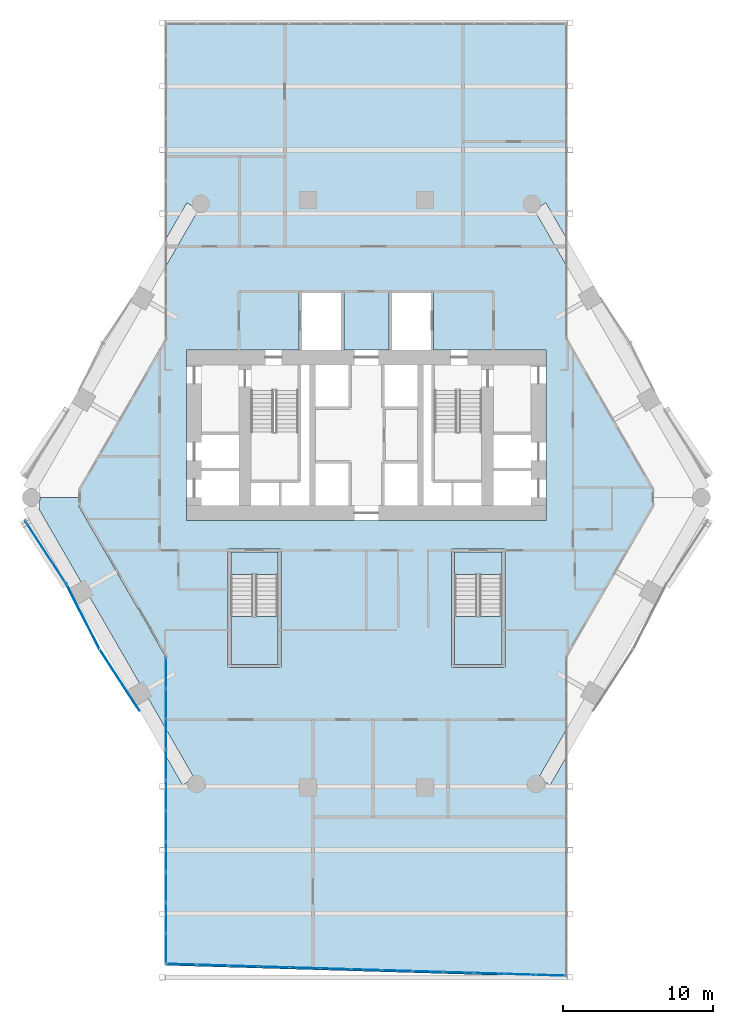
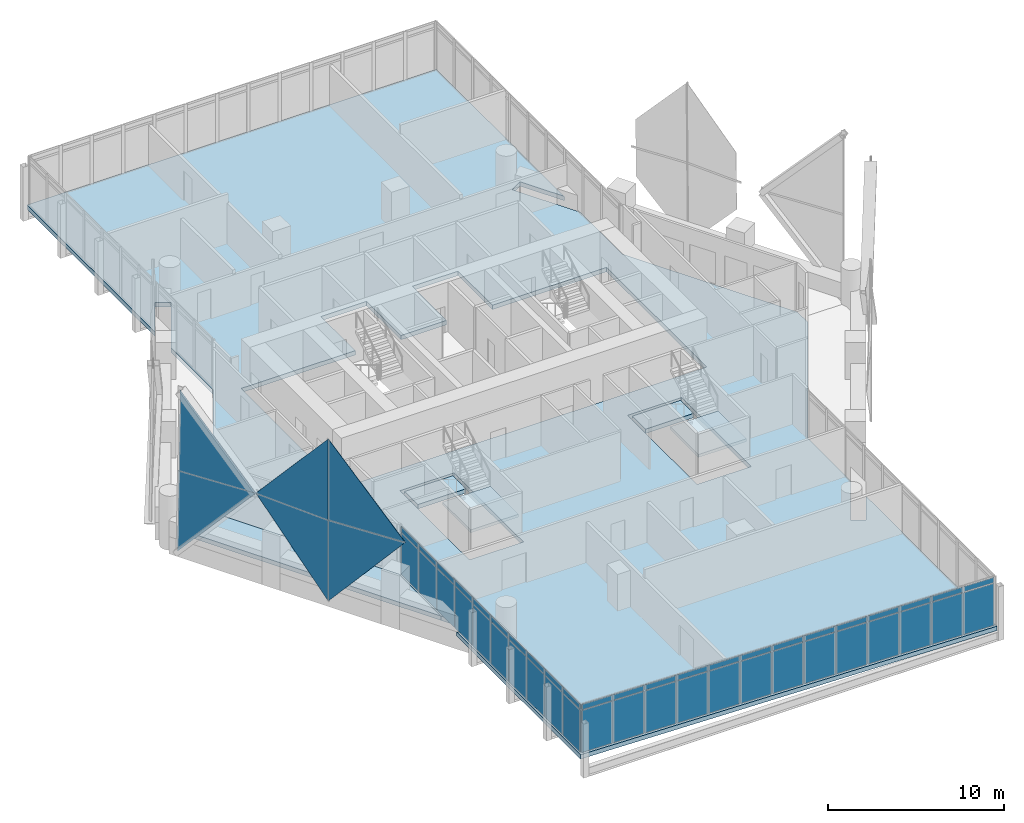
# One storey, part 26 of 38: 52 plates, 6 slabs, 8 elements without a shape of their own.
"""IFC4 building model written with IfcOpenShell, lengths in metres."""

from ifc_helpers import new_model, si_unit, direction, frame, origin, origin_2d, place, context, subcontext, project, spatial, polyline, rectangle, outline, extrude, material, layer, layer_set, type_object, element, aggregate, save


model = new_model("IFC4")

# Units and contexts
model_context = context("Model", 3, precision=1e-05, world=origin(), true_north=direction((0.0, 1.0)))
body_context = subcontext(model_context, "Body", "Model", "MODEL_VIEW")
ifc_project = project(units=[si_unit("LENGTHUNIT", "METRE"), si_unit("AREAUNIT", "SQUARE_METRE"), si_unit("VOLUMEUNIT", "CUBIC_METRE"), si_unit("PLANEANGLEUNIT", "RADIAN"), si_unit("MASSUNIT", "GRAM", prefix="KILO")], contexts=[model_context])

# Site, building, storey
site_placement = place(None, origin())
site = spatial("IfcSite", under=ifc_project, at=site_placement, CompositionType="ELEMENT")
building_placement = place(site_placement, origin())
building = spatial("IfcBuilding", under=site, at=building_placement, Name="Ostrander Bayou Hotel Tower", CompositionType="ELEMENT")
storey_placement = place(building_placement, frame((0.0, 0.0, 96.75)))
storey = spatial("IfcBuildingStorey", under=building, at=storey_placement, Name="L24", CompositionType="ELEMENT", Elevation=96.75)

# Curtain wall, plates
ifc_material_1 = material(Name="Aluminium and clear glass", Category="aluminium")
curtain_wall_type_1 = type_object("IfcCurtainWallType", Name="CW-BAR glazed wall", PredefinedType="NOTDEFINED", material=ifc_material_1)
curtain_wall_1_placement = place(storey_placement, origin())
curtain_wall_1 = element("IfcCurtainWall", 1, at=curtain_wall_1_placement, inside=storey, type_object=curtain_wall_type_1, Name="CW-BAR L24:SB2S:E", PredefinedType="NOTDEFINED")
ifc_material_2 = material(Name="Clear laminated glass", Category="glass")
ifc_layer_1 = layer(ifc_material_2, 0.028076171875)
ifc_layer_set_1 = layer_set([ifc_layer_1], Name="CW-BR glazing panel 28 mm")
plate_type_1 = type_object("IfcPlateType", Name="CW-BR glazing panel 28 mm", PredefinedType="CURTAIN_PANEL", material=ifc_layer_set_1)
plate_1_placement = place(storey_placement, frame((-13.3671875, -11.885009765625, 0.06005859375), z_axis=(0.0, 0.0, 1.0), x_axis=(0.0, -1.0, 0.0)))
plate_1 = element("IfcPlate", 2, at=plate_1_placement, type_object=plate_type_1, Name="CW-BAR panel 1.1", PredefinedType="CURTAIN_PANEL", context=body_context, shape_type="SweptSolid", body=[
    extrude(rectangle(XDim=1.95556640625, YDim=0.028076171875, at=origin_2d()), origin(), (0.0, 0.0, 1.0), 2.909912109375),
])
plate_2_placement = place(storey_placement, frame((-13.3671875, -11.885009765625, 3.02978515625), z_axis=(0.0, 0.0, 1.0), x_axis=(0.0, -1.0, 0.0)))
plate_2 = element("IfcPlate", 3, at=plate_2_placement, type_object=plate_type_1, Name="CW-BAR panel 1.2", PredefinedType="CURTAIN_PANEL", context=body_context, shape_type="SweptSolid", body=[
    extrude(rectangle(XDim=1.95556640625, YDim=0.028076171875, at=origin_2d()), origin(), (0.0, 0.0, 1.0), 0.360107421875),
])
plate_3_placement = place(storey_placement, frame((-13.3671875, -13.91552734375, 0.06005859375), z_axis=(0.0, 0.0, 1.0), x_axis=(0.0, -1.0, 0.0)))
plate_3 = element("IfcPlate", 4, at=plate_3_placement, type_object=plate_type_1, Name="CW-BAR panel 2.1", PredefinedType="CURTAIN_PANEL", context=body_context, shape_type="SweptSolid", body=[
    extrude(rectangle(XDim=1.985595703125, YDim=0.028076171875, at=origin_2d()), origin(), (0.0, 0.0, 1.0), 2.909912109375),
])
plate_4_placement = place(storey_placement, frame((-13.3671875, -13.91552734375, 3.02978515625), z_axis=(0.0, 0.0, 1.0), x_axis=(0.0, -1.0, 0.0)))
plate_4 = element("IfcPlate", 5, at=plate_4_placement, type_object=plate_type_1, Name="CW-BAR panel 2.2", PredefinedType="CURTAIN_PANEL", context=body_context, shape_type="SweptSolid", body=[
    extrude(rectangle(XDim=1.985595703125, YDim=0.028076171875, at=origin_2d()), origin(), (0.0, 0.0, 1.0), 0.360107421875),
])
plate_5_placement = place(storey_placement, frame((-13.3671875, -15.9609375, 0.06005859375), z_axis=(0.0, 0.0, 1.0), x_axis=(0.0, -1.0, 0.0)))
plate_5 = element("IfcPlate", 6, at=plate_5_placement, type_object=plate_type_1, Name="CW-BAR panel 3.1", PredefinedType="CURTAIN_PANEL", context=body_context, shape_type="SweptSolid", body=[
    extrude(rectangle(XDim=1.985595703125, YDim=0.028076171875, at=origin_2d()), origin(), (0.0, 0.0, 1.0), 2.909912109375),
])
plate_6_placement = place(storey_placement, frame((-13.3671875, -15.9609375, 3.02978515625), z_axis=(0.0, 0.0, 1.0), x_axis=(0.0, -1.0, 0.0)))
plate_6 = element("IfcPlate", 7, at=plate_6_placement, type_object=plate_type_1, Name="CW-BAR panel 3.2", PredefinedType="CURTAIN_PANEL", context=body_context, shape_type="SweptSolid", body=[
    extrude(rectangle(XDim=1.985595703125, YDim=0.028076171875, at=origin_2d()), origin(), (0.0, 0.0, 1.0), 0.360107421875),
])
plate_7_placement = place(storey_placement, frame((-13.3671875, -18.006591796875, 0.06005859375), z_axis=(0.0, 0.0, 1.0), x_axis=(0.0, -1.0, 0.0)))
plate_7 = element("IfcPlate", 8, at=plate_7_placement, type_object=plate_type_1, Name="CW-BAR panel 4.1", PredefinedType="CURTAIN_PANEL", context=body_context, shape_type="SweptSolid", body=[
    extrude(rectangle(XDim=1.985595703125, YDim=0.028076171875, at=origin_2d()), origin(), (0.0, 0.0, 1.0), 2.909912109375),
])
plate_8_placement = place(storey_placement, frame((-13.3671875, -18.006591796875, 3.02978515625), z_axis=(0.0, 0.0, 1.0), x_axis=(0.0, -1.0, 0.0)))
plate_8 = element("IfcPlate", 9, at=plate_8_placement, type_object=plate_type_1, Name="CW-BAR panel 4.2", PredefinedType="CURTAIN_PANEL", context=body_context, shape_type="SweptSolid", body=[
    extrude(rectangle(XDim=1.985595703125, YDim=0.028076171875, at=origin_2d()), origin(), (0.0, 0.0, 1.0), 0.360107421875),
])
plate_9_placement = place(storey_placement, frame((-13.3671875, -20.052001953125, 0.06005859375), z_axis=(0.0, 0.0, 1.0), x_axis=(0.0, -1.0, 0.0)))
plate_9 = element("IfcPlate", 10, at=plate_9_placement, type_object=plate_type_1, Name="CW-BAR panel 5.1", PredefinedType="CURTAIN_PANEL", context=body_context, shape_type="SweptSolid", body=[
    extrude(rectangle(XDim=1.985595703125, YDim=0.028076171875, at=origin_2d()), origin(), (0.0, 0.0, 1.0), 2.909912109375),
])
plate_10_placement = place(storey_placement, frame((-13.3671875, -20.052001953125, 3.02978515625), z_axis=(0.0, 0.0, 1.0), x_axis=(0.0, -1.0, 0.0)))
plate_10 = element("IfcPlate", 11, at=plate_10_placement, type_object=plate_type_1, Name="CW-BAR panel 5.2", PredefinedType="CURTAIN_PANEL", context=body_context, shape_type="SweptSolid", body=[
    extrude(rectangle(XDim=1.985595703125, YDim=0.028076171875, at=origin_2d()), origin(), (0.0, 0.0, 1.0), 0.360107421875),
])
plate_11_placement = place(storey_placement, frame((-13.3671875, -22.097412109375, 0.06005859375), z_axis=(0.0, 0.0, 1.0), x_axis=(0.0, -1.0, 0.0)))
plate_11 = element("IfcPlate", 12, at=plate_11_placement, type_object=plate_type_1, Name="CW-BAR panel 6.1", PredefinedType="CURTAIN_PANEL", context=body_context, shape_type="SweptSolid", body=[
    extrude(rectangle(XDim=1.985595703125, YDim=0.028076171875, at=origin_2d()), origin(), (0.0, 0.0, 1.0), 2.909912109375),
])
plate_12_placement = place(storey_placement, frame((-13.3671875, -22.097412109375, 3.02978515625), z_axis=(0.0, 0.0, 1.0), x_axis=(0.0, -1.0, 0.0)))
plate_12 = element("IfcPlate", 13, at=plate_12_placement, type_object=plate_type_1, Name="CW-BAR panel 6.2", PredefinedType="CURTAIN_PANEL", context=body_context, shape_type="SweptSolid", body=[
    extrude(rectangle(XDim=1.985595703125, YDim=0.028076171875, at=origin_2d()), origin(), (0.0, 0.0, 1.0), 0.360107421875),
])
plate_13_placement = place(storey_placement, frame((-13.3671875, -24.14306640625, 0.06005859375), z_axis=(0.0, 0.0, 1.0), x_axis=(0.0, -1.0, 0.0)))
plate_13 = element("IfcPlate", 14, at=plate_13_placement, type_object=plate_type_1, Name="CW-BAR panel 7.1", PredefinedType="CURTAIN_PANEL", context=body_context, shape_type="SweptSolid", body=[
    extrude(rectangle(XDim=1.985595703125, YDim=0.028076171875, at=origin_2d()), origin(), (0.0, 0.0, 1.0), 2.909912109375),
])
plate_14_placement = place(storey_placement, frame((-13.3671875, -24.14306640625, 3.02978515625), z_axis=(0.0, 0.0, 1.0), x_axis=(0.0, -1.0, 0.0)))
plate_14 = element("IfcPlate", 15, at=plate_14_placement, type_object=plate_type_1, Name="CW-BAR panel 7.2", PredefinedType="CURTAIN_PANEL", context=body_context, shape_type="SweptSolid", body=[
    extrude(rectangle(XDim=1.985595703125, YDim=0.028076171875, at=origin_2d()), origin(), (0.0, 0.0, 1.0), 0.360107421875),
])
plate_15_placement = place(storey_placement, frame((-13.3671875, -26.1884765625, 0.06005859375), z_axis=(0.0, 0.0, 1.0), x_axis=(0.0, -1.0, 0.0)))
plate_15 = element("IfcPlate", 16, at=plate_15_placement, type_object=plate_type_1, Name="CW-BAR panel 8.1", PredefinedType="CURTAIN_PANEL", context=body_context, shape_type="SweptSolid", body=[
    extrude(rectangle(XDim=1.985595703125, YDim=0.028076171875, at=origin_2d()), origin(), (0.0, 0.0, 1.0), 2.909912109375),
])
plate_16_placement = place(storey_placement, frame((-13.3671875, -26.1884765625, 3.02978515625), z_axis=(0.0, 0.0, 1.0), x_axis=(0.0, -1.0, 0.0)))
plate_16 = element("IfcPlate", 17, at=plate_16_placement, type_object=plate_type_1, Name="CW-BAR panel 8.2", PredefinedType="CURTAIN_PANEL", context=body_context, shape_type="SweptSolid", body=[
    extrude(rectangle(XDim=1.985595703125, YDim=0.028076171875, at=origin_2d()), origin(), (0.0, 0.0, 1.0), 0.360107421875),
])
plate_17_placement = place(storey_placement, frame((-13.3671875, -28.23388671875, 0.06005859375), z_axis=(0.0, 0.0, 1.0), x_axis=(0.0, -1.0, 0.0)))
plate_17 = element("IfcPlate", 18, at=plate_17_placement, type_object=plate_type_1, Name="CW-BAR panel 9.1", PredefinedType="CURTAIN_PANEL", context=body_context, shape_type="SweptSolid", body=[
    extrude(rectangle(XDim=1.985595703125, YDim=0.028076171875, at=origin_2d()), origin(), (0.0, 0.0, 1.0), 2.909912109375),
])
plate_18_placement = place(storey_placement, frame((-13.3671875, -28.23388671875, 3.02978515625), z_axis=(0.0, 0.0, 1.0), x_axis=(0.0, -1.0, 0.0)))
plate_18 = element("IfcPlate", 19, at=plate_18_placement, type_object=plate_type_1, Name="CW-BAR panel 9.2", PredefinedType="CURTAIN_PANEL", context=body_context, shape_type="SweptSolid", body=[
    extrude(rectangle(XDim=1.985595703125, YDim=0.028076171875, at=origin_2d()), origin(), (0.0, 0.0, 1.0), 0.360107421875),
])
plate_19_placement = place(storey_placement, frame((-13.3671875, -30.264404296875, 0.06005859375), z_axis=(0.0, 0.0, 1.0), x_axis=(0.0, -1.0, 0.0)))
plate_19 = element("IfcPlate", 20, at=plate_19_placement, type_object=plate_type_1, Name="CW-BAR panel 10.1", PredefinedType="CURTAIN_PANEL", context=body_context, shape_type="SweptSolid", body=[
    extrude(rectangle(XDim=1.95556640625, YDim=0.028076171875, at=origin_2d()), origin(), (0.0, 0.0, 1.0), 2.909912109375),
])
plate_20_placement = place(storey_placement, frame((-13.3671875, -30.264404296875, 3.02978515625), z_axis=(0.0, 0.0, 1.0), x_axis=(0.0, -1.0, 0.0)))
plate_20 = element("IfcPlate", 21, at=plate_20_placement, type_object=plate_type_1, Name="CW-BAR panel 10.2", PredefinedType="CURTAIN_PANEL", context=body_context, shape_type="SweptSolid", body=[
    extrude(rectangle(XDim=1.95556640625, YDim=0.028076171875, at=origin_2d()), origin(), (0.0, 0.0, 1.0), 0.360107421875),
])
aggregate(curtain_wall_1, [plate_1, plate_2, plate_3, plate_4, plate_5, plate_6, plate_7, plate_8, plate_9, plate_10, plate_11, plate_12, plate_13, plate_14, plate_15, plate_16, plate_17, plate_18, plate_19, plate_20])

curtain_wall_2_placement = place(storey_placement, origin())
curtain_wall_2 = element("IfcCurtainWall", 22, at=curtain_wall_2_placement, inside=storey, type_object=curtain_wall_type_1, Name="CW-BAR L24:SB2S:T", PredefinedType="NOTDEFINED")
plate_21_placement = place(storey_placement, frame((-12.323974609375, -31.333251953125, 0.06005859375), z_axis=(0.0, 0.0, 1.0), x_axis=(0.999557482631, -0.029746242041, 0.0)))
plate_21 = element("IfcPlate", 23, at=plate_21_placement, type_object=plate_type_1, Name="CW-BAR panel 1.1", PredefinedType="CURTAIN_PANEL", context=body_context, shape_type="SweptSolid", body=[
    extrude(rectangle(XDim=1.96728515625, YDim=0.028076171875, at=origin_2d()), origin(), (0.0, 0.0, 1.0), 2.909912109375),
])
plate_22_placement = place(storey_placement, frame((-12.323974609375, -31.333251953125, 3.02978515625), z_axis=(0.0, 0.0, 1.0), x_axis=(0.999557482631, -0.029746242041, 0.0)))
plate_22 = element("IfcPlate", 24, at=plate_22_placement, type_object=plate_type_1, Name="CW-BAR panel 1.2", PredefinedType="CURTAIN_PANEL", context=body_context, shape_type="SweptSolid", body=[
    extrude(rectangle(XDim=1.96728515625, YDim=0.028076171875, at=origin_2d()), origin(), (0.0, 0.0, 1.0), 0.360107421875),
])
plate_23_placement = place(storey_placement, frame((-10.282470703125, -31.39404296875, 0.06005859375), z_axis=(0.0, 0.0, 1.0), x_axis=(0.999557482631, -0.029746242041, 0.0)))
plate_23 = element("IfcPlate", 25, at=plate_23_placement, type_object=plate_type_1, Name="CW-BAR panel 2.1", PredefinedType="CURTAIN_PANEL", context=body_context, shape_type="SweptSolid", body=[
    extrude(rectangle(XDim=1.997314453125, YDim=0.028076171875, at=origin_2d()), origin(), (0.0, 0.0, 1.0), 2.909912109375),
])
plate_24_placement = place(storey_placement, frame((-10.282470703125, -31.39404296875, 3.02978515625), z_axis=(0.0, 0.0, 1.0), x_axis=(0.999557482631, -0.029746242041, 0.0)))
plate_24 = element("IfcPlate", 26, at=plate_24_placement, type_object=plate_type_1, Name="CW-BAR panel 2.2", PredefinedType="CURTAIN_PANEL", context=body_context, shape_type="SweptSolid", body=[
    extrude(rectangle(XDim=1.997314453125, YDim=0.028076171875, at=origin_2d()), origin(), (0.0, 0.0, 1.0), 0.360107421875),
])
plate_25_placement = place(storey_placement, frame((-8.22607421875, -31.455078125, 0.06005859375), z_axis=(0.0, 0.0, 1.0), x_axis=(0.999557482631, -0.029746242041, 0.0)))
plate_25 = element("IfcPlate", 27, at=plate_25_placement, type_object=plate_type_1, Name="CW-BAR panel 3.1", PredefinedType="CURTAIN_PANEL", context=body_context, shape_type="SweptSolid", body=[
    extrude(rectangle(XDim=1.997314453125, YDim=0.028076171875, at=origin_2d()), origin(), (0.0, 0.0, 1.0), 2.909912109375),
])
plate_26_placement = place(storey_placement, frame((-8.22607421875, -31.455078125, 3.02978515625), z_axis=(0.0, 0.0, 1.0), x_axis=(0.999557482631, -0.029746242041, 0.0)))
plate_26 = element("IfcPlate", 28, at=plate_26_placement, type_object=plate_type_1, Name="CW-BAR panel 3.2", PredefinedType="CURTAIN_PANEL", context=body_context, shape_type="SweptSolid", body=[
    extrude(rectangle(XDim=1.997314453125, YDim=0.028076171875, at=origin_2d()), origin(), (0.0, 0.0, 1.0), 0.360107421875),
])
plate_27_placement = place(storey_placement, frame((-6.16943359375, -31.516357421875, 0.06005859375), z_axis=(0.0, 0.0, 1.0), x_axis=(0.999557482631, -0.029746242041, 0.0)))
plate_27 = element("IfcPlate", 29, at=plate_27_placement, type_object=plate_type_1, Name="CW-BAR panel 4.1", PredefinedType="CURTAIN_PANEL", context=body_context, shape_type="SweptSolid", body=[
    extrude(rectangle(XDim=1.997314453125, YDim=0.028076171875, at=origin_2d()), origin(), (0.0, 0.0, 1.0), 2.909912109375),
])
plate_28_placement = place(storey_placement, frame((-6.16943359375, -31.516357421875, 3.02978515625), z_axis=(0.0, 0.0, 1.0), x_axis=(0.999557482631, -0.029746242041, 0.0)))
plate_28 = element("IfcPlate", 30, at=plate_28_placement, type_object=plate_type_1, Name="CW-BAR panel 4.2", PredefinedType="CURTAIN_PANEL", context=body_context, shape_type="SweptSolid", body=[
    extrude(rectangle(XDim=1.997314453125, YDim=0.028076171875, at=origin_2d()), origin(), (0.0, 0.0, 1.0), 0.360107421875),
])
plate_29_placement = place(storey_placement, frame((-4.113037109375, -31.57763671875, 0.06005859375), z_axis=(0.0, 0.0, 1.0), x_axis=(0.999557482631, -0.029746242041, 0.0)))
plate_29 = element("IfcPlate", 31, at=plate_29_placement, type_object=plate_type_1, Name="CW-BAR panel 5.1", PredefinedType="CURTAIN_PANEL", context=body_context, shape_type="SweptSolid", body=[
    extrude(rectangle(XDim=1.997314453125, YDim=0.028076171875, at=origin_2d()), origin(), (0.0, 0.0, 1.0), 2.909912109375),
])
plate_30_placement = place(storey_placement, frame((-4.113037109375, -31.57763671875, 3.02978515625), z_axis=(0.0, 0.0, 1.0), x_axis=(0.999557482631, -0.029746242041, 0.0)))
plate_30 = element("IfcPlate", 32, at=plate_30_placement, type_object=plate_type_1, Name="CW-BAR panel 5.2", PredefinedType="CURTAIN_PANEL", context=body_context, shape_type="SweptSolid", body=[
    extrude(rectangle(XDim=1.997314453125, YDim=0.028076171875, at=origin_2d()), origin(), (0.0, 0.0, 1.0), 0.360107421875),
])
plate_31_placement = place(storey_placement, frame((-2.056396484375, -31.638916015625, 0.06005859375), z_axis=(0.0, 0.0, 1.0), x_axis=(0.999557482631, -0.029746242041, 0.0)))
plate_31 = element("IfcPlate", 33, at=plate_31_placement, type_object=plate_type_1, Name="CW-BAR panel 6.1", PredefinedType="CURTAIN_PANEL", context=body_context, shape_type="SweptSolid", body=[
    extrude(rectangle(XDim=1.997314453125, YDim=0.028076171875, at=origin_2d()), origin(), (0.0, 0.0, 1.0), 2.909912109375),
])
plate_32_placement = place(storey_placement, frame((-2.056396484375, -31.638916015625, 3.02978515625), z_axis=(0.0, 0.0, 1.0), x_axis=(0.999557482631, -0.029746242041, 0.0)))
plate_32 = element("IfcPlate", 34, at=plate_32_placement, type_object=plate_type_1, Name="CW-BAR panel 6.2", PredefinedType="CURTAIN_PANEL", context=body_context, shape_type="SweptSolid", body=[
    extrude(rectangle(XDim=1.997314453125, YDim=0.028076171875, at=origin_2d()), origin(), (0.0, 0.0, 1.0), 0.360107421875),
])
plate_33_placement = place(storey_placement, frame((0.0, -31.699951171875, 0.06005859375), z_axis=(0.0, 0.0, 1.0), x_axis=(0.999557482631, -0.029746242041, 0.0)))
plate_33 = element("IfcPlate", 35, at=plate_33_placement, type_object=plate_type_1, Name="CW-BAR panel 7.1", PredefinedType="CURTAIN_PANEL", context=body_context, shape_type="SweptSolid", body=[
    extrude(rectangle(XDim=1.997314453125, YDim=0.028076171875, at=origin_2d()), origin(), (0.0, 0.0, 1.0), 2.909912109375),
])
plate_34_placement = place(storey_placement, frame((0.0, -31.699951171875, 3.02978515625), z_axis=(0.0, 0.0, 1.0), x_axis=(0.999557482631, -0.029746242041, 0.0)))
plate_34 = element("IfcPlate", 36, at=plate_34_placement, type_object=plate_type_1, Name="CW-BAR panel 7.2", PredefinedType="CURTAIN_PANEL", context=body_context, shape_type="SweptSolid", body=[
    extrude(rectangle(XDim=1.997314453125, YDim=0.028076171875, at=origin_2d()), origin(), (0.0, 0.0, 1.0), 0.360107421875),
])
plate_35_placement = place(storey_placement, frame((2.056396484375, -31.76123046875, 0.06005859375), z_axis=(0.0, 0.0, 1.0), x_axis=(0.999557482631, -0.029746242041, 0.0)))
plate_35 = element("IfcPlate", 37, at=plate_35_placement, type_object=plate_type_1, Name="CW-BAR panel 8.1", PredefinedType="CURTAIN_PANEL", context=body_context, shape_type="SweptSolid", body=[
    extrude(rectangle(XDim=1.997314453125, YDim=0.028076171875, at=origin_2d()), origin(), (0.0, 0.0, 1.0), 2.909912109375),
])
plate_36_placement = place(storey_placement, frame((2.056396484375, -31.76123046875, 3.02978515625), z_axis=(0.0, 0.0, 1.0), x_axis=(0.999557482631, -0.029746242041, 0.0)))
plate_36 = element("IfcPlate", 38, at=plate_36_placement, type_object=plate_type_1, Name="CW-BAR panel 8.2", PredefinedType="CURTAIN_PANEL", context=body_context, shape_type="SweptSolid", body=[
    extrude(rectangle(XDim=1.997314453125, YDim=0.028076171875, at=origin_2d()), origin(), (0.0, 0.0, 1.0), 0.360107421875),
])
plate_37_placement = place(storey_placement, frame((4.113037109375, -31.822509765625, 0.06005859375), z_axis=(0.0, 0.0, 1.0), x_axis=(0.999557482631, -0.029746242041, 0.0)))
plate_37 = element("IfcPlate", 39, at=plate_37_placement, type_object=plate_type_1, Name="CW-BAR panel 9.1", PredefinedType="CURTAIN_PANEL", context=body_context, shape_type="SweptSolid", body=[
    extrude(rectangle(XDim=1.997314453125, YDim=0.028076171875, at=origin_2d()), origin(), (0.0, 0.0, 1.0), 2.909912109375),
])
plate_38_placement = place(storey_placement, frame((4.113037109375, -31.822509765625, 3.02978515625), z_axis=(0.0, 0.0, 1.0), x_axis=(0.999557482631, -0.029746242041, 0.0)))
plate_38 = element("IfcPlate", 40, at=plate_38_placement, type_object=plate_type_1, Name="CW-BAR panel 9.2", PredefinedType="CURTAIN_PANEL", context=body_context, shape_type="SweptSolid", body=[
    extrude(rectangle(XDim=1.997314453125, YDim=0.028076171875, at=origin_2d()), origin(), (0.0, 0.0, 1.0), 0.360107421875),
])
plate_39_placement = place(storey_placement, frame((6.16943359375, -31.883544921875, 0.06005859375), z_axis=(0.0, 0.0, 1.0), x_axis=(0.999557482631, -0.029746242041, 0.0)))
plate_39 = element("IfcPlate", 41, at=plate_39_placement, type_object=plate_type_1, Name="CW-BAR panel 10.1", PredefinedType="CURTAIN_PANEL", context=body_context, shape_type="SweptSolid", body=[
    extrude(rectangle(XDim=1.997314453125, YDim=0.028076171875, at=origin_2d()), origin(), (0.0, 0.0, 1.0), 2.909912109375),
])
plate_40_placement = place(storey_placement, frame((6.16943359375, -31.883544921875, 3.02978515625), z_axis=(0.0, 0.0, 1.0), x_axis=(0.999557482631, -0.029746242041, 0.0)))
plate_40 = element("IfcPlate", 42, at=plate_40_placement, type_object=plate_type_1, Name="CW-BAR panel 10.2", PredefinedType="CURTAIN_PANEL", context=body_context, shape_type="SweptSolid", body=[
    extrude(rectangle(XDim=1.997314453125, YDim=0.028076171875, at=origin_2d()), origin(), (0.0, 0.0, 1.0), 0.360107421875),
])
plate_41_placement = place(storey_placement, frame((8.22607421875, -31.94482421875, 0.06005859375), z_axis=(0.0, 0.0, 1.0), x_axis=(0.999557482631, -0.029746242041, 0.0)))
plate_41 = element("IfcPlate", 43, at=plate_41_placement, type_object=plate_type_1, Name="CW-BAR panel 11.1", PredefinedType="CURTAIN_PANEL", context=body_context, shape_type="SweptSolid", body=[
    extrude(rectangle(XDim=1.997314453125, YDim=0.028076171875, at=origin_2d()), origin(), (0.0, 0.0, 1.0), 2.909912109375),
])
plate_42_placement = place(storey_placement, frame((8.22607421875, -31.94482421875, 3.02978515625), z_axis=(0.0, 0.0, 1.0), x_axis=(0.999557482631, -0.029746242041, 0.0)))
plate_42 = element("IfcPlate", 44, at=plate_42_placement, type_object=plate_type_1, Name="CW-BAR panel 11.2", PredefinedType="CURTAIN_PANEL", context=body_context, shape_type="SweptSolid", body=[
    extrude(rectangle(XDim=1.997314453125, YDim=0.028076171875, at=origin_2d()), origin(), (0.0, 0.0, 1.0), 0.360107421875),
])
plate_43_placement = place(storey_placement, frame((10.282470703125, -32.006103515625, 0.06005859375), z_axis=(0.0, 0.0, 1.0), x_axis=(0.999557482631, -0.029746242041, 0.0)))
plate_43 = element("IfcPlate", 45, at=plate_43_placement, type_object=plate_type_1, Name="CW-BAR panel 12.1", PredefinedType="CURTAIN_PANEL", context=body_context, shape_type="SweptSolid", body=[
    extrude(rectangle(XDim=1.997314453125, YDim=0.028076171875, at=origin_2d()), origin(), (0.0, 0.0, 1.0), 2.909912109375),
])
plate_44_placement = place(storey_placement, frame((10.282470703125, -32.006103515625, 3.02978515625), z_axis=(0.0, 0.0, 1.0), x_axis=(0.999557482631, -0.029746242041, 0.0)))
plate_44 = element("IfcPlate", 46, at=plate_44_placement, type_object=plate_type_1, Name="CW-BAR panel 12.2", PredefinedType="CURTAIN_PANEL", context=body_context, shape_type="SweptSolid", body=[
    extrude(rectangle(XDim=1.997314453125, YDim=0.028076171875, at=origin_2d()), origin(), (0.0, 0.0, 1.0), 0.360107421875),
])
plate_45_placement = place(storey_placement, frame((12.323974609375, -32.066650390625, 0.06005859375), z_axis=(0.0, 0.0, 1.0), x_axis=(0.999557482631, -0.029746242041, 0.0)))
plate_45 = element("IfcPlate", 47, at=plate_45_placement, type_object=plate_type_1, Name="CW-BAR panel 13.1", PredefinedType="CURTAIN_PANEL", context=body_context, shape_type="SweptSolid", body=[
    extrude(rectangle(XDim=1.96728515625, YDim=0.028076171875, at=origin_2d()), origin(), (0.0, 0.0, 1.0), 2.909912109375),
])
plate_46_placement = place(storey_placement, frame((12.323974609375, -32.066650390625, 3.02978515625), z_axis=(0.0, 0.0, 1.0), x_axis=(0.999557482631, -0.029746242041, 0.0)))
plate_46 = element("IfcPlate", 48, at=plate_46_placement, type_object=plate_type_1, Name="CW-BAR panel 13.2", PredefinedType="CURTAIN_PANEL", context=body_context, shape_type="SweptSolid", body=[
    extrude(rectangle(XDim=1.96728515625, YDim=0.028076171875, at=origin_2d()), origin(), (0.0, 0.0, 1.0), 0.360107421875),
])
aggregate(curtain_wall_2, [plate_21, plate_22, plate_23, plate_24, plate_25, plate_26, plate_27, plate_28, plate_29, plate_30, plate_31, plate_32, plate_33, plate_34, plate_35, plate_36, plate_37, plate_38, plate_39, plate_40, plate_41, plate_42, plate_43, plate_44, plate_45, plate_46])

# Curtain wall, plate
ifc_material_3 = material(Name="Aluminium and clear glass", Category="aluminium")
curtain_wall_type_2 = type_object("IfcCurtainWallType", Name="CW-LAT lattice glazing", PredefinedType="NOTDEFINED", material=ifc_material_3)
curtain_wall_3_placement = place(storey_placement, origin())
curtain_wall_3 = element("IfcCurtainWall", 49, at=curtain_wall_3_placement, inside=storey, type_object=curtain_wall_type_2, Name="CW-LAT L24 SW 3", PredefinedType="NOTDEFINED")
ifc_material_4 = material(Name="Clear laminated glass", Category="glass")
ifc_layer_2 = layer(ifc_material_4, 0.028076171875)
ifc_layer_set_2 = layer_set([ifc_layer_2], Name="CW-LA glazing panel 28 mm")
plate_type_2 = type_object("IfcPlateType", Name="CW-LA glazing panel 28 mm", PredefinedType="CURTAIN_PANEL", material=ifc_layer_set_2)
plate_47_placement = place(storey_placement, frame((-20.039794921875, -5.911376953125, 5.02490234375), z_axis=(0.838393268418, 0.54506507529, 0.000889477918), x_axis=(-0.361641212677, 0.557478848743, -0.747283725567)))
plate_47 = element("IfcPlate", 50, at=plate_47_placement, type_object=plate_type_2, Name="CW-LAT panel 1", PredefinedType="CURTAIN_PANEL", context=body_context, shape_type="SweptSolid", body=[
    extrude(outline(polyline([(0.0, 0.0), (7.527261477200431, -8.881784197001252e-16), (3.2609313196069523, 3.6671548089487196), (0.0, 0.0)])), origin(), (0.0, 0.0, -1.0), 0.028076171875),
])

curtain_wall_4_placement = place(storey_placement, origin())
curtain_wall_4 = element("IfcCurtainWall", 51, at=curtain_wall_4_placement, inside=storey, type_object=curtain_wall_type_2, Name="CW-LAT L24 SW 4", PredefinedType="NOTDEFINED")
plate_48_placement = place(storey_placement, frame((-20.039794921875, -5.911376953125, 5.02490234375), z_axis=(0.838393258856, 0.545065069073, 0.000902209166), x_axis=(-0.354943020365, 0.544698863456, 0.759814846159)))
plate_48 = element("IfcPlate", 52, at=plate_48_placement, type_object=plate_type_2, Name="CW-LAT panel 2", PredefinedType="CURTAIN_PANEL", context=body_context, shape_type="SweptSolid", body=[
    extrude(outline(polyline([(0.0, 0.0), (7.4031193631345165, 4.440892098500626e-16), (3.190434809100009, -3.728648976891261), (0.0, 0.0)])), origin(), (0.0, 0.0, -1.0), 0.028076171875),
])

curtain_wall_5_placement = place(storey_placement, origin())
curtain_wall_5 = element("IfcCurtainWall", 53, at=curtain_wall_5_placement, inside=storey, type_object=curtain_wall_type_2, Name="CW-LAT L24 SW 1", PredefinedType="NOTDEFINED")
plate_49_placement = place(storey_placement, frame((-20.039794921875, -5.911376953125, 5.02490234375), z_axis=(-0.891240635363, -0.453530737522, 0.0), x_axis=(0.298148285453, -0.585896049321, -0.753547224314)))
plate_49 = element("IfcPlate", 54, at=plate_49_placement, type_object=plate_type_2, Name="CW-LAT panel 3", PredefinedType="CURTAIN_PANEL", context=body_context, shape_type="SweptSolid", body=[
    extrude(outline(polyline([(0.0, 0.0), (7.464694737774109, 4.440892098500626e-16), (3.225991601008613, 3.6978400071358353), (0.0, 0.0)])), origin(), (0.0, 0.0, -1.0), 0.028076171875),
])
aggregate(curtain_wall_5, [plate_49])

curtain_wall_6_placement = place(storey_placement, origin())
curtain_wall_6 = element("IfcCurtainWall", 55, at=curtain_wall_6_placement, inside=storey, type_object=curtain_wall_type_2, Name="CW-LAT L24 SW 2", PredefinedType="NOTDEFINED")
plate_50_placement = place(storey_placement, frame((-20.039794921875, -5.911376953125, 5.02490234375), z_axis=(0.891240635363, 0.453530737522, 0.0), x_axis=(0.298148285453, -0.585896049321, 0.753547224314)))
plate_50 = element("IfcPlate", 56, at=plate_50_placement, type_object=plate_type_2, Name="CW-LAT panel 4", PredefinedType="CURTAIN_PANEL", context=body_context, shape_type="SweptSolid", body=[
    extrude(outline(polyline([(0.0, 0.0), (7.464694737774109, 4.440892098500626e-16), (3.225991601008613, 3.6978400071358353), (0.0, 0.0)])), origin(), (0.0, 0.0, -1.0), 0.028076171875),
])
aggregate(curtain_wall_6, [plate_50])

# Plate
plate_51_placement = place(storey_placement, frame((-15.139404296875, -14.3994140625, 5.02490234375), z_axis=(0.8384083798, 0.545042556761, 0.0), x_axis=(-0.358318839011, 0.551181762856, -0.753529212377)))
plate_51 = element("IfcPlate", 57, at=plate_51_placement, type_object=plate_type_2, Name="CW-LAT panel 5", PredefinedType="CURTAIN_PANEL", context=body_context, shape_type="SweptSolid", body=[
    extrude(outline(polyline([(0.0, 0.0), (7.464873169621934, -4.440892098500626e-16), (3.226271350000868, 3.697956140181356), (0.0, 0.0)])), origin(), (0.0, 0.0, -1.0), 0.028076171875),
])

aggregate(curtain_wall_3, [plate_47, plate_51])

plate_52_placement = place(storey_placement, frame((-15.139404296875, -14.3994140625, 5.02490234375), z_axis=(-0.8384083798, -0.545042556761, 0.0), x_axis=(-0.358318839011, 0.551181762856, 0.753529212377)))
plate_52 = element("IfcPlate", 58, at=plate_52_placement, type_object=plate_type_2, Name="CW-LAT panel 6", PredefinedType="CURTAIN_PANEL", context=body_context, shape_type="SweptSolid", body=[
    extrude(outline(polyline([(0.0, 0.0), (7.464873169621934, -4.440892098500626e-16), (3.226271350000868, 3.697956140181356), (0.0, 0.0)])), origin(), (0.0, 0.0, -1.0), 0.028076171875),
])

aggregate(curtain_wall_4, [plate_48, plate_52])

# Slabs
ifc_material_5 = material(Name="Concrete f'c 40 MPa", Category="concrete")
ifc_layer_3 = layer(ifc_material_5, 0.300048828125)
ifc_layer_set_3 = layer_set([ifc_layer_3], Name="SL1 floor slab 300 mm f'c 40 MPa")
slab_type_1 = type_object("IfcSlabType", Name="SL1 floor slab 300 mm f'c 40 MPa", PredefinedType="FLOOR", material=ifc_layer_set_3)
slab_1_placement = place(storey_placement, frame((0.0, 0.0, -0.300048828125)))
element("IfcSlab", 59, at=slab_1_placement, inside=storey, type_object=slab_type_1, Name="SL1 L24 1", PredefinedType="FLOOR", context=body_context, shape_type="SweptSolid", body=[
    extrude(outline(polyline([(-12.27001953125, -19.34765625), (-11.490478515625, -18.897705078125), (-13.442138671875, -15.517333984375), (-13.442138671875, -10.71728515625), (-19.18896484375, -0.763671875), (-19.18896484375, 0.436279296875), (-13.442138671875, 10.39013671875), (-13.442138671875, 15.190185546875), (-11.20703125, 19.061279296875), (-11.986572265625, 19.511474609375), (-13.442138671875, 16.989990234375), (-13.442138671875, 31.54541015625), (13.442138671875, 31.54541015625), (13.442138671875, 16.989990234375), (11.986572265625, 19.511474609375), (11.20703125, 19.061279296875), (13.442138671875, 15.190185546875), (13.442138671875, 10.39013671875), (19.18896484375, 0.436279296875), (19.18896484375, -0.763671875), (13.442138671875, -10.71728515625), (13.442138671875, -15.517333984375), (11.490478515625, -18.897705078125), (12.27001953125, -19.34765625), (13.442138671875, -17.3173828125), (13.442138671875, -32.199951171875), (-13.442138671875, -31.39990234375), (-13.442138671875, -17.3173828125), (-12.27001953125, -19.34765625)]), holes=[polyline([(-12.0, -1.699951171875), (12.0, -1.699951171875), (12.0, 9.699951171875), (4.5, 9.699951171875), (4.5, 13.60009765625), (1.5, 13.60009765625), (1.5, 9.699951171875), (-1.5, 9.699951171875), (-1.5, 13.60009765625), (-4.5, 13.60009765625), (-4.5, 9.699951171875), (-12.0, 9.699951171875), (-12.0, -1.699951171875)]), polyline([(9.25, -3.60009765625), (5.699951171875, -3.60009765625), (5.699951171875, -11.5), (9.25, -11.5), (9.25, -3.60009765625)]), polyline([(-5.699951171875, -3.60009765625), (-9.25, -3.60009765625), (-9.25, -11.5), (-5.699951171875, -11.5), (-5.699951171875, -3.60009765625)])]), origin(), (0.0, 0.0, 1.0), 0.300048828125),
])
slab_2_placement = place(storey_placement, frame((0.0, 0.0, -0.300048828125)))
element("IfcSlab", 60, at=slab_2_placement, inside=storey, type_object=slab_type_1, Name="cslab:L24:006", PredefinedType="FLOOR", context=body_context, shape_type="SweptSolid", body=[
    extrude(outline(polyline([(9.050048828125, -5.300048828125), (9.050048828125, -3.800048828125), (5.89990234375, -3.800048828125), (5.89990234375, -5.300048828125), (9.050048828125, -5.300048828125)])), origin(), (0.0, 0.0, 1.0), 0.300048828125),
])
slab_3_placement = place(storey_placement, frame((0.0, 0.0, -0.300048828125)))
element("IfcSlab", 61, at=slab_3_placement, inside=storey, type_object=slab_type_1, Name="cslab:L24:007", PredefinedType="FLOOR", context=body_context, shape_type="SweptSolid", body=[
    extrude(outline(polyline([(-5.89990234375, -5.300048828125), (-5.89990234375, -3.800048828125), (-9.050048828125, -3.800048828125), (-9.050048828125, -5.300048828125), (-5.89990234375, -5.300048828125)])), origin(), (0.0, 0.0, 1.0), 0.300048828125),
])
ifc_material_6 = material(Name="Concrete f'c 40 MPa", Category="concrete")
ifc_layer_4 = layer(ifc_material_6, 0.300048828125)
ifc_layer_set_4 = layer_set([ifc_layer_4], Name="SL4 loggia slab 300 mm f'c 40 MPa")
slab_type_2 = type_object("IfcSlabType", Name="SL4 loggia slab 300 mm f'c 40 MPa", PredefinedType="FLOOR", material=ifc_layer_set_4)
slab_4_placement = place(storey_placement, frame((0.0, 0.0, -0.300048828125)))
element("IfcSlab", 62, at=slab_4_placement, inside=storey, type_object=slab_type_2, Name="SL4 LOGGIA L24 SW 1", PredefinedType="FLOOR", context=body_context, shape_type="SweptSolid", body=[
    extrude(outline(polyline([(-13.442138671875, -15.517333984375), (-14.5625, -13.576904296875), (-15.132568359375, -12.589599609375), (-18.46923828125, -6.810302734375), (-19.039306640625, -5.822998046875), (-21.254150390625, -1.986572265625), (-21.873779296875, -0.913818359375), (-21.873779296875, -0.4931640625), (-21.8203125, -0.393310546875), (-21.7861328125, -0.28076171875), (-21.774658203125, -0.163818359375), (-19.18896484375, -0.163818359375), (-19.18896484375, -0.763671875), (-13.442138671875, -10.71728515625), (-13.442138671875, -15.517333984375)])), origin(), (0.0, 0.0, 1.0), 0.300048828125),
])

# Stair, slab
ifc_material_7 = material(Name="Concrete f'c 45 MPa", Category="concrete")
stair_type = type_object("IfcStairType", Name="ST1 exit stair 1500 mm f'c 45 MPa", PredefinedType="HALF_TURN_STAIR", material=ifc_material_7)
stair_1_placement = place(storey_placement, origin())
stair_1 = element("IfcStair", 63, at=stair_1_placement, inside=storey, type_object=stair_type, Name="L24 exit stair C", PredefinedType="HALF_TURN_STAIR")
ifc_material_8 = material(Name="Concrete f'c 45 MPa", Category="concrete")
ifc_layer_5 = layer(ifc_material_8, 0.199951171875)
ifc_layer_set_5 = layer_set([ifc_layer_5], Name="SL8 stair landing 200 mm f'c 45 MPa")
slab_type_3 = type_object("IfcSlabType", Name="SL8 stair landing 200 mm f'c 45 MPa", PredefinedType="LANDING", material=ifc_layer_set_5)
slab_5_placement = place(storey_placement, frame((0.0, 0.0, 1.675048828125)))
slab_5 = element("IfcSlab", 64, at=slab_5_placement, type_object=slab_type_3, Name="STC landing 1", PredefinedType="LANDING", context=body_context, shape_type="SweptSolid", body=[
    extrude(outline(polyline([(5.89990234375, -8.10009765625), (5.89990234375, -11.300048828125), (9.050048828125, -11.300048828125), (9.050048828125, -8.10009765625), (5.89990234375, -8.10009765625)])), origin(), (0.0, 0.0, 1.0), 0.199951171875),
])
aggregate(stair_1, [slab_5])

stair_2_placement = place(storey_placement, origin())
stair_2 = element("IfcStair", 65, at=stair_2_placement, inside=storey, type_object=stair_type, Name="L24 exit stair D", PredefinedType="HALF_TURN_STAIR")
slab_6_placement = place(storey_placement, frame((0.0, 0.0, 1.675048828125)))
slab_6 = element("IfcSlab", 66, at=slab_6_placement, type_object=slab_type_3, Name="STD landing 1", PredefinedType="LANDING", context=body_context, shape_type="SweptSolid", body=[
    extrude(outline(polyline([(-9.050048828125, -8.10009765625), (-9.050048828125, -11.300048828125), (-5.89990234375, -11.300048828125), (-5.89990234375, -8.10009765625), (-9.050048828125, -8.10009765625)])), origin(), (0.0, 0.0, 1.0), 0.199951171875),
])
aggregate(stair_2, [slab_6])

save(model, "model.ifc")
